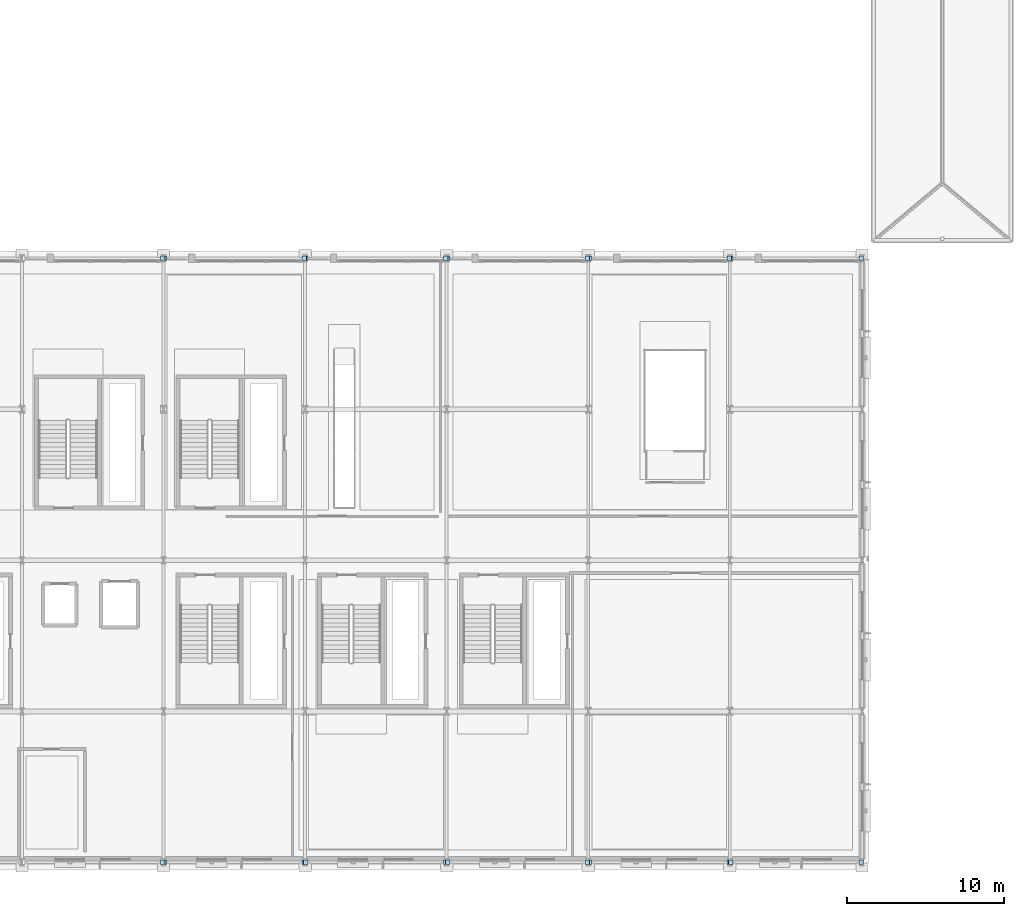
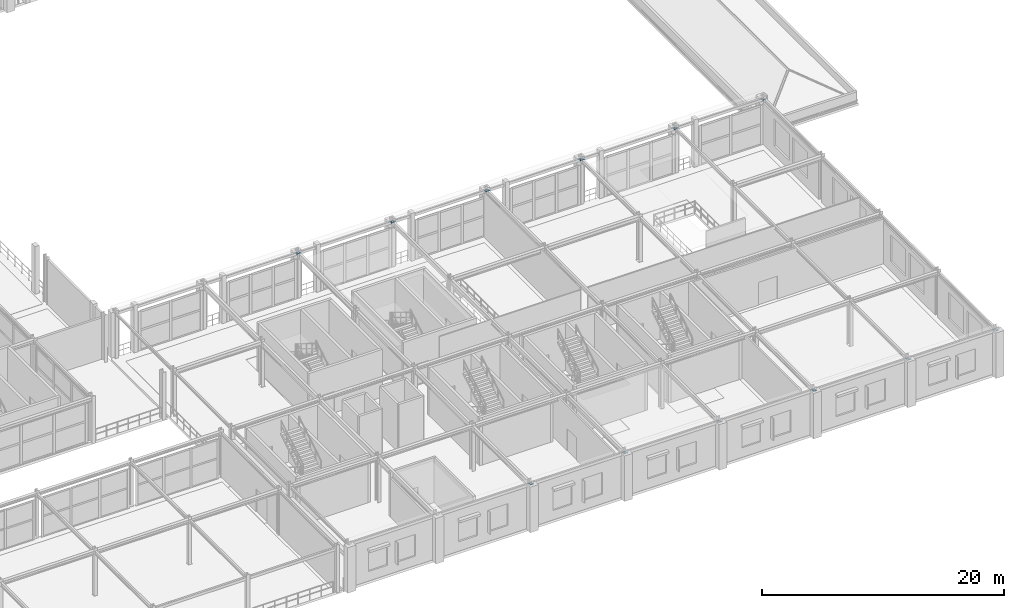
# One storey, part 71 of 125: 22 plates.
"""IFC4 building model written with IfcOpenShell, lengths in metres."""

from ifc_helpers import new_model, si_unit, direction, frame, origin, origin_2d, place, context, subcontext, project, spatial, rectangle, extrude, material, layer, layer_set, type_object, element, save


model = new_model("IFC4")

# Units and contexts
model_context = context("Model", 3, precision=1e-05, world=origin(), true_north=direction((0.0, 1.0)))
body_context = subcontext(model_context, "Body", "Model", "MODEL_VIEW")
ifc_project = project(units=[si_unit("LENGTHUNIT", "METRE"), si_unit("AREAUNIT", "SQUARE_METRE"), si_unit("VOLUMEUNIT", "CUBIC_METRE"), si_unit("PLANEANGLEUNIT", "RADIAN"), si_unit("MASSUNIT", "GRAM", prefix="KILO")], contexts=[model_context])

# Site, building, storey
site_placement = place(None, origin())
site = spatial("IfcSite", under=ifc_project, at=site_placement, CompositionType="ELEMENT")
building_placement = place(site_placement, origin())
building = spatial("IfcBuilding", under=site, at=building_placement, Name="Myrtia Square Station", CompositionType="ELEMENT")
storey_placement = place(building_placement, frame((0.0, 0.0, 6.0)))
storey = spatial("IfcBuildingStorey", under=building, at=storey_placement, Name="L01", CompositionType="ELEMENT", Elevation=6.0)

# Plates
ifc_material = material(Name="Steel S355", Category="steel")
ifc_layer = layer(ifc_material, 0.01611328125, Name="Steel S355")
ifc_layer_set = layer_set([ifc_layer], Name="Steel S355")
plate_type = type_object("IfcPlateType", Name="PLT-GUS16", PredefinedType="USERDEFINED", material=ifc_layer_set)
for number, where, z_axis, x_axis, name in (
    (1, (134.949951171875, 0.0, 4.391845703125), (0.0, 0.0, 1.0), (1.0, 0.0, 0.0), "Truss node gusset plate SPN-L01-0157-2"),
    (2, (135.050048828125, 0.0, 4.391845703125), (0.0, 0.0, 1.0), (1.0, 0.0, 0.0), "Truss node gusset plate SPN-L01-0158-1"),
    (3, (143.949951171875, 0.0, 4.391845703125), (0.0, 0.0, 1.0), (1.0, 0.0, 0.0), "Truss node gusset plate SPN-L01-0158-2"),
    (4, (144.050048828125, 0.0, 4.391845703125), (0.0, 0.0, 1.0), (1.0, 0.0, 0.0), "Truss node gusset plate SPN-L01-0159-1"),
    (5, (152.949951171875, 0.0, 4.391845703125), (0.0, 0.0, 1.0), (1.0, 0.0, 0.0), "Truss node gusset plate SPN-L01-0159-2"),
    (6, (153.050048828125, 0.0, 4.391845703125), (0.0, 0.0, 1.0), (1.0, 0.0, 0.0), "Truss node gusset plate SPN-L01-0160-1"),
    (7, (161.949951171875, 0.0, 4.391845703125), (0.0, 0.0, 1.0), (1.0, 0.0, 0.0), "Truss node gusset plate SPN-L01-0160-2"),
    (8, (162.050048828125, 0.0, 4.376953125), (0.0, 0.0, 1.0), (1.0, 0.0, 0.0), "Truss node gusset plate SPN-L01-0161-1"),
    (9, (170.949951171875, 0.0, 4.376953125), (0.0, 0.0, 1.0), (1.0, 0.0, 0.0), "Truss node gusset plate SPN-L01-0161-2"),
    (10, (171.050048828125, 0.0, 4.376953125), (0.0, 0.0, 1.0), (1.0, 0.0, 0.0), "Truss node gusset plate SPN-L01-0162-1"),
    (11, (179.35009765625, 0.0, 4.376953125), (0.0, 0.0, 1.0), (1.0, 0.0, 0.0), "Truss node gusset plate SPN-L01-0162-2"),
    (12, (134.949951171875, 38.39990234375, 4.391845703125), (0.0, 0.0, 1.0), (1.0, 0.0, 0.0), "Truss node gusset plate SPN-L01-0164-2"),
    (13, (135.050048828125, 38.39990234375, 4.391845703125), (0.0, 0.0, 1.0), (1.0, 0.0, 0.0), "Truss node gusset plate SPN-L01-0165-1"),
    (14, (143.949951171875, 38.39990234375, 4.391845703125), (0.0, 0.0, 1.0), (1.0, 0.0, 0.0), "Truss node gusset plate SPN-L01-0165-2"),
    (15, (144.050048828125, 38.39990234375, 4.391845703125), (0.0, 0.0, 1.0), (1.0, 0.0, 0.0), "Truss node gusset plate SPN-L01-0166-1"),
    (16, (152.949951171875, 38.39990234375, 4.391845703125), (0.0, 0.0, 1.0), (1.0, 0.0, 0.0), "Truss node gusset plate SPN-L01-0166-2"),
    (17, (153.050048828125, 38.39990234375, 4.391845703125), (0.0, 0.0, 1.0), (1.0, 0.0, 0.0), "Truss node gusset plate SPN-L01-0167-1"),
    (18, (161.949951171875, 38.39990234375, 4.391845703125), (0.0, 0.0, 1.0), (1.0, 0.0, 0.0), "Truss node gusset plate SPN-L01-0167-2"),
    (19, (162.050048828125, 38.39990234375, 4.376953125), (0.0, 0.0, 1.0), (1.0, 0.0, 0.0), "Truss node gusset plate SPN-L01-0168-1"),
    (20, (170.949951171875, 38.39990234375, 4.376953125), (0.0, 0.0, 1.0), (1.0, 0.0, 0.0), "Truss node gusset plate SPN-L01-0168-2"),
    (21, (171.050048828125, 38.39990234375, 4.376953125), (0.0, 0.0, 1.0), (1.0, 0.0, 0.0), "Truss node gusset plate SPN-L01-0169-1"),
    (22, (179.35009765625, 38.39990234375, 4.376953125), (0.0, 0.0, 1.0), (1.0, 0.0, 0.0), "Truss node gusset plate SPN-L01-0169-2"),
):
    element("IfcPlate", number, at=place(storey_placement, frame(where, z_axis=z_axis, x_axis=x_axis)), inside=storey, type_object=plate_type, Name=name, ObjectType="GUSSET PLATE", PredefinedType="USERDEFINED", context=body_context, shape_type="SweptSolid", body=[
        extrude(rectangle(XDim=0.280029296875, YDim=0.280029296875, at=origin_2d()), origin(), (0.0, 0.0, 1.0), 0.01611328125),
    ])

save(model, "model.ifc")
